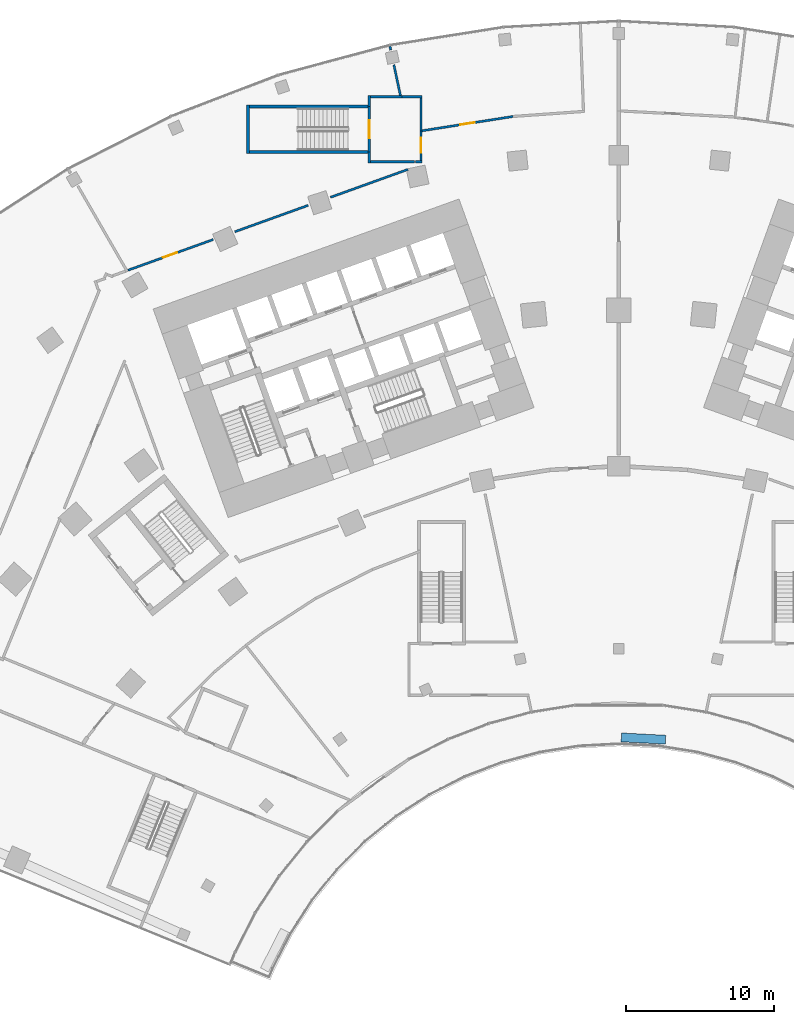
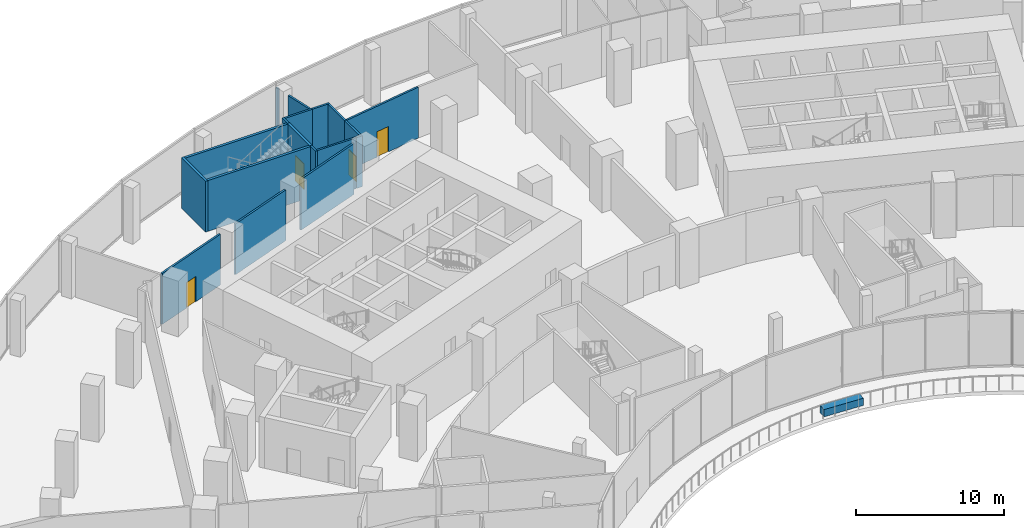
# One storey, part 25 of 39: 19 walls, 4 doors, 4 openings.
"""IFC4 building model written with IfcOpenShell, lengths in metres."""

from ifc_helpers import new_model, si_unit, direction, frame, frame_2d, origin, origin_2d, place, context, subcontext, project, spatial, rectangle, extrude, material, layer, layer_set, type_object, element, fill, save


model = new_model("IFC4")

# Units and contexts
model_context = context("Model", 3, precision=1e-05, world=origin(), true_north=direction((0.0, 1.0)))
body_context = subcontext(model_context, "Body", "Model", "MODEL_VIEW")
ifc_project = project(units=[si_unit("LENGTHUNIT", "METRE"), si_unit("AREAUNIT", "SQUARE_METRE"), si_unit("VOLUMEUNIT", "CUBIC_METRE"), si_unit("PLANEANGLEUNIT", "RADIAN"), si_unit("MASSUNIT", "GRAM", prefix="KILO")], contexts=[model_context])

# Site, building, storey
site_placement = place(None, origin())
site = spatial("IfcSite", under=ifc_project, at=site_placement, CompositionType="ELEMENT")
building_placement = place(site_placement, origin())
building = spatial("IfcBuilding", under=site, at=building_placement, Name="Stone Belt Terrace Tower", CompositionType="ELEMENT")
storey_placement = place(building_placement, frame((0.0, 0.0, 20.800048828125)))
storey = spatial("IfcBuildingStorey", under=building, at=storey_placement, Name="L04", CompositionType="ELEMENT", Elevation=20.800048828125)

# Wall
ifc_material_1 = material(Name="Precast concrete C40/50", Category="concrete")
ifc_layer_1 = layer(ifc_material_1, 0.60009765625)
ifc_layer_set_1 = layer_set([ifc_layer_1], Name="Planter box 600 x 600")
wall_type_1 = type_object("IfcWallType", Name="Planter box 600 x 600", PredefinedType="SOLIDWALL", material=ifc_layer_set_1)
wall_1_placement = place(storey_placement, frame((1.6708984375, 26.01318359375, 0.0), z_axis=(0.0, 0.0, 1.0), x_axis=(0.998629534755, -0.052335956243, 0.0)))
element("IfcWall", 1, at=wall_1_placement, inside=storey, type_object=wall_type_1, Name="PLANTER L04 2", PredefinedType="SOLIDWALL", context=body_context, shape_type="SweptSolid", body=[
    extrude(rectangle(XDim=3.0, YDim=0.60009765625, at=origin_2d()), origin(), (0.0, 0.0, 1.0), 0.60009765625),
])

# Wall, opening, door
ifc_material_2 = material(Name="Gypsum board on steel stud partition", Category="steel")
ifc_layer_2 = layer(ifc_material_2, 0.14990234375)
ifc_layer_set_2 = layer_set([ifc_layer_2], Name="Podium partition 150")
wall_type_2 = type_object("IfcWallType", Name="Podium partition 150", PredefinedType="PARTITIONING", material=ifc_layer_set_2)
wall_2_placement = place(storey_placement, frame((-33.2177734375, 57.713134765625, 0.0), z_axis=(0.0, 0.0, 1.0), x_axis=(0.940850879997, 0.338820928529, 0.0)))
wall_2 = element("IfcWall", 2, at=wall_2_placement, inside=storey, type_object=wall_type_2, Name="Podium partition 150", PredefinedType="PARTITIONING", context=body_context, shape_type="SweptSolid", body=[
    extrude(rectangle(XDim=6.134765625, YDim=0.14990234375, at=frame_2d((3.0673828125, 0.0))), origin(), (0.0, 0.0, 1.0), 4.199951171875),
])
opening_1_placement = place(wall_2_placement, frame((2.518310546875, 0.0, 0.0)))
opening_1 = element("IfcOpeningElement", 3, at=opening_1_placement, cuts=wall_2, Name="Opening L04-P26", PredefinedType="OPENING", context=body_context, shape_type="SweptSolid", body=[
    extrude(rectangle(XDim=1.0, YDim=2.10009765625, at=frame_2d((0.5, 1.050048828125))), frame((0.0, 0.0849609375, 0.0), z_axis=(0.0, -1.0, 0.0), x_axis=(1.0, 0.0, 0.0)), (0.0, 0.0, 1.0), 0.169921875),
])
ifc_material_3 = material(Name="Steel framed door leaf", Category="steel")
door_type_1 = type_object("IfcDoorType", Name="Podium door single 1000", OperationType="SINGLE_SWING_LEFT", PredefinedType="DOOR", material=ifc_material_3)
door_1_placement = place(opening_1_placement, origin())
door_1 = element("IfcDoor", 4, at=door_1_placement, inside=storey, type_object=door_type_1, Name="Podium door single 1000", OperationType="SINGLE_SWING_RIGHT", OverallHeight=2.10009765625, OverallWidth=1.0, PredefinedType="DOOR", context=body_context, shape_type="SweptSolid", body=[
    extrude(rectangle(XDim=1.0, YDim=2.10009765625, at=frame_2d((0.5, 1.050048828125))), frame((0.0, 0.02490234375, 0.0), z_axis=(0.0, -1.0, 0.0), x_axis=(1.0, 0.0, 0.0)), (0.0, 0.0, 1.0), 0.050048828125),
])
fill(opening_1, door_1)

# Walls
wall_3_placement = place(storey_placement, frame((-25.99072265625, 60.315673828125, 0.0), z_axis=(0.0, 0.0, 1.0), x_axis=(0.940850832577, 0.338821060207, 0.0)))
element("IfcWall", 5, at=wall_3_placement, inside=storey, type_object=wall_type_2, Name="Podium partition 150", PredefinedType="PARTITIONING", context=body_context, shape_type="SweptSolid", body=[
    extrude(rectangle(XDim=5.27587890625, YDim=0.14990234375, at=frame_2d((2.637939453125, 0.0))), origin(), (0.0, 0.0, 1.0), 4.199951171875),
])
wall_4_placement = place(storey_placement, frame((-19.513916015625, 62.64794921875, 0.0), z_axis=(0.0, 0.0, 1.0), x_axis=(0.940852790989, 0.338815621967, 0.0)))
element("IfcWall", 6, at=wall_4_placement, inside=storey, type_object=wall_type_2, Name="Podium partition 150", PredefinedType="PARTITIONING", context=body_context, shape_type="SweptSolid", body=[
    extrude(rectangle(XDim=5.57421875, YDim=0.14990234375, at=frame_2d((2.787109375, 0.0))), origin(), (0.0, 0.0, 1.0), 4.199951171875),
])
wall_5_placement = place(storey_placement, frame((-16.889892578125, 64.97509765625, 0.0), z_axis=(0.0, 0.0, 1.0), x_axis=(0.0, 1.0, 0.0)))
element("IfcWall", 7, at=wall_5_placement, inside=storey, type_object=wall_type_2, Name="Podium partition 150", PredefinedType="PARTITIONING", context=body_context, shape_type="SweptSolid", body=[
    extrude(rectangle(XDim=0.744873046875, YDim=0.14990234375, at=frame_2d((0.37255859375, 0.0))), origin(), (0.0, 0.0, 1.0), 4.199951171875),
])
wall_6_placement = place(storey_placement, frame((-16.81494140625, 65.050048828125, 0.0), z_axis=(0.0, 0.0, 1.0), x_axis=(1.0, 0.0, 0.0)))
element("IfcWall", 8, at=wall_6_placement, inside=storey, type_object=wall_type_2, Name="Podium partition 150", PredefinedType="PARTITIONING", context=body_context, shape_type="SweptSolid", body=[
    extrude(rectangle(XDim=2.994873046875, YDim=0.14990234375, at=frame_2d((1.49755859375, 0.0))), origin(), (0.0, 0.0, 1.0), 4.199951171875),
])
wall_7_placement = place(storey_placement, frame((-16.889892578125, 68.780029296875, 0.0), z_axis=(0.0, 0.0, 1.0), x_axis=(0.0, 1.0, 0.0)))
element("IfcWall", 9, at=wall_7_placement, inside=storey, type_object=wall_type_2, Name="Podium partition 150", PredefinedType="PARTITIONING", context=body_context, shape_type="SweptSolid", body=[
    extrude(rectangle(XDim=0.744873046875, YDim=0.14990234375, at=frame_2d((0.37255859375, 0.0))), origin(), (0.0, 0.0, 1.0), 4.199951171875),
])
wall_8_placement = place(storey_placement, frame((-16.81494140625, 69.449951171875, 0.0), z_axis=(0.0, 0.0, 1.0), x_axis=(1.0, 0.0, 0.0)))
element("IfcWall", 10, at=wall_8_placement, inside=storey, type_object=wall_type_2, Name="Podium partition 150", PredefinedType="PARTITIONING", context=body_context, shape_type="SweptSolid", body=[
    extrude(rectangle(XDim=2.131591796875, YDim=0.14990234375, at=frame_2d((1.06591796875, 0.0))), origin(), (0.0, 0.0, 1.0), 4.199951171875),
])
wall_9_placement = place(storey_placement, frame((-15.489990234375, 72.8701171875, 0.0), z_axis=(0.0, 0.0, 1.0), x_axis=(0.208183997214, -0.978089680604, 0.0)))
element("IfcWall", 11, at=wall_9_placement, inside=storey, type_object=wall_type_2, Name="Podium partition 150", PredefinedType="PARTITIONING", context=body_context, shape_type="SweptSolid", body=[
    extrude(rectangle(XDim=0.26025390625, YDim=0.14990234375, at=frame_2d((0.130126953125, 0.0))), origin(), (0.0, 0.0, 1.0), 4.199951171875),
])
wall_10_placement = place(storey_placement, frame((-15.222900390625, 71.617919921875, 0.0), z_axis=(0.0, 0.0, 1.0), x_axis=(0.208830476195, -0.977951855774, 0.0)))
element("IfcWall", 12, at=wall_10_placement, inside=storey, type_object=wall_type_2, Name="Podium partition 150", PredefinedType="PARTITIONING", context=body_context, shape_type="SweptSolid", body=[
    extrude(rectangle(XDim=2.124267578125, YDim=0.14990234375, at=frame_2d((1.06201171875, 0.0))), origin(), (0.0, 0.0, 1.0), 4.199951171875),
])
wall_11_placement = place(storey_placement, frame((-14.681884765625, 69.449951171875, 0.0), z_axis=(0.0, 0.0, 1.0), x_axis=(1.0, 0.0, 0.0)))
element("IfcWall", 13, at=wall_11_placement, inside=storey, type_object=wall_type_2, Name="Podium partition 150", PredefinedType="PARTITIONING", context=body_context, shape_type="SweptSolid", body=[
    extrude(rectangle(XDim=1.366943359375, YDim=0.14990234375, at=frame_2d((0.68359375, 0.0))), origin(), (0.0, 0.0, 1.0), 4.199951171875),
])
wall_12_placement = place(storey_placement, frame((-13.75341796875, 65.050048828125, 0.0), z_axis=(0.0, 0.0, 1.0), x_axis=(1.0, 0.0, 0.0)))
element("IfcWall", 14, at=wall_12_placement, inside=storey, type_object=wall_type_2, Name="Podium partition 150", PredefinedType="PARTITIONING", context=body_context, shape_type="SweptSolid", body=[
    extrude(rectangle(XDim=0.4384765625, YDim=0.14990234375, at=frame_2d((0.21923828125, 0.0))), origin(), (0.0, 0.0, 1.0), 4.199951171875),
])

# Wall, opening, door
wall_13_placement = place(storey_placement, frame((-13.389892578125, 65.125, 0.0), z_axis=(0.0, 0.0, 1.0), x_axis=(0.0, 1.0, 0.0)))
wall_13 = element("IfcWall", 15, at=wall_13_placement, inside=storey, type_object=wall_type_2, Name="Podium partition 150", PredefinedType="PARTITIONING", context=body_context, shape_type="SweptSolid", body=[
    extrude(rectangle(XDim=2.0048828125, YDim=0.14990234375, at=frame_2d((1.00244140625, 0.0))), origin(), (0.0, 0.0, 1.0), 4.199951171875),
])
opening_2_placement = place(wall_13_placement, frame((0.54541015625, 0.0, 0.0)))
opening_2 = element("IfcOpeningElement", 16, at=opening_2_placement, cuts=wall_13, Name="Opening L04-P37", PredefinedType="OPENING", context=body_context, shape_type="SweptSolid", body=[
    extrude(rectangle(XDim=1.0, YDim=2.10009765625, at=frame_2d((0.5, 1.050048828125))), frame((0.0, 0.0849609375, 0.0), z_axis=(0.0, -1.0, 0.0), x_axis=(1.0, 0.0, 0.0)), (0.0, 0.0, 1.0), 0.169921875),
])
door_2_placement = place(opening_2_placement, origin())
door_2 = element("IfcDoor", 17, at=door_2_placement, inside=storey, type_object=door_type_1, Name="Podium door single 1000", OperationType="SINGLE_SWING_LEFT", OverallHeight=2.10009765625, OverallWidth=1.0, PredefinedType="DOOR", context=body_context, shape_type="SweptSolid", body=[
    extrude(rectangle(XDim=1.0, YDim=2.10009765625, at=frame_2d((0.5, 1.050048828125))), frame((0.0, 0.02490234375, 0.0), z_axis=(0.0, -1.0, 0.0), x_axis=(1.0, 0.0, 0.0)), (0.0, 0.0, 1.0), 0.050048828125),
])
fill(opening_2, door_2)

# Wall
wall_14_placement = place(storey_placement, frame((-13.389892578125, 67.1298828125, 0.0), z_axis=(0.0, 0.0, 1.0), x_axis=(0.0, 1.0, 0.0)))
element("IfcWall", 18, at=wall_14_placement, inside=storey, type_object=wall_type_2, Name="Podium partition 150", PredefinedType="PARTITIONING", context=body_context, shape_type="SweptSolid", body=[
    extrude(rectangle(XDim=2.2451171875, YDim=0.14990234375, at=frame_2d((1.12255859375, 0.0))), origin(), (0.0, 0.0, 1.0), 4.199951171875),
])

# Wall, opening, door
wall_15_placement = place(storey_placement, frame((-13.31494140625, 67.15185546875, 0.0), z_axis=(0.0, 0.0, 1.0), x_axis=(0.987857191339, 0.155364634069, 0.0)))
wall_15 = element("IfcWall", 19, at=wall_15_placement, inside=storey, type_object=wall_type_2, Name="Podium partition 150", PredefinedType="PARTITIONING", context=body_context, shape_type="SweptSolid", body=[
    extrude(rectangle(XDim=6.2275390625, YDim=0.14990234375, at=frame_2d((3.11376953125, 0.0))), origin(), (0.0, 0.0, 1.0), 4.199951171875),
])
opening_3_placement = place(wall_15_placement, frame((2.61376953125, 0.0, 0.0)))
opening_3 = element("IfcOpeningElement", 20, at=opening_3_placement, cuts=wall_15, Name="Opening L04-P11", PredefinedType="OPENING", context=body_context, shape_type="SweptSolid", body=[
    extrude(rectangle(XDim=1.0, YDim=2.10009765625, at=frame_2d((0.5, 1.050048828125))), frame((0.0, 0.0849609375, 0.0), z_axis=(0.0, -1.0, 0.0), x_axis=(1.0, 0.0, 0.0)), (0.0, 0.0, 1.0), 0.169921875),
])
door_3_placement = place(opening_3_placement, origin())
door_3 = element("IfcDoor", 21, at=door_3_placement, inside=storey, type_object=door_type_1, Name="Podium door single 1000", OperationType="SINGLE_SWING_LEFT", OverallHeight=2.10009765625, OverallWidth=1.0, PredefinedType="DOOR", context=body_context, shape_type="SweptSolid", body=[
    extrude(rectangle(XDim=1.0, YDim=2.10009765625, at=frame_2d((0.5, 1.050048828125))), frame((0.0, 0.02490234375, 0.0), z_axis=(0.0, -1.0, 0.0), x_axis=(1.0, 0.0, 0.0)), (0.0, 0.0, 1.0), 0.050048828125),
])
fill(opening_3, door_3)

# Walls
ifc_material_4 = material(Name="Concrete B30", Category="concrete")
ifc_layer_3 = layer(ifc_material_4, 0.199951171875)
ifc_layer_set_3 = layer_set([ifc_layer_3], Name="Podium stair and shaft wall 200")
wall_type_3 = type_object("IfcWallType", Name="Podium stair and shaft wall 200", PredefinedType="SOLIDWALL", material=ifc_layer_set_3)
wall_16_placement = place(storey_placement, frame((-25.110107421875, 65.6201171875, 0.0), z_axis=(0.0, 0.0, 1.0), x_axis=(0.0, 1.0, 0.0)))
element("IfcWall", 22, at=wall_16_placement, inside=storey, type_object=wall_type_3, Name="Podium stair and shaft wall 200", PredefinedType="SOLIDWALL", context=body_context, shape_type="SweptSolid", body=[
    extrude(rectangle(XDim=3.259765625, YDim=0.199951171875, at=frame_2d((1.6298828125, 0.0))), origin(), (0.0, 0.0, 1.0), 4.199951171875),
])
for number, where, z_axis, x_axis, name in (
    (23, (-25.010009765625, 65.719970703125, 0.0), (0.0, 0.0, 1.0), (1.0, 0.0, 0.0), "Podium stair and shaft wall 200"),
    (24, (-25.010009765625, 68.780029296875, 0.0), (0.0, 0.0, 1.0), (1.0, 0.0, 0.0), "Podium stair and shaft wall 200"),
):
    element("IfcWall", number, at=place(storey_placement, frame(where, z_axis=z_axis, x_axis=x_axis)), inside=storey, type_object=wall_type_3, Name=name, PredefinedType="SOLIDWALL", context=body_context, shape_type="SweptSolid", body=[
        extrude(rectangle(XDim=8.02001953125, YDim=0.199951171875, at=frame_2d((4.010009765625, 0.0))), origin(), (0.0, 0.0, 1.0), 4.199951171875),
    ])

# Wall, opening, door
wall_17_placement = place(storey_placement, frame((-16.889892578125, 65.719970703125, 0.0), z_axis=(0.0, 0.0, 1.0), x_axis=(0.0, 1.0, 0.0)))
wall_17 = element("IfcWall", 25, at=wall_17_placement, inside=storey, type_object=wall_type_3, Name="Podium stair and shaft wall 200", PredefinedType="SOLIDWALL", context=body_context, shape_type="SweptSolid", body=[
    extrude(rectangle(XDim=3.06005859375, YDim=0.199951171875, at=frame_2d((1.530029296875, 0.0))), origin(), (0.0, 0.0, 1.0), 4.199951171875),
])
opening_4_placement = place(wall_17_placement, frame((0.929931640625, 0.0, 0.0)))
opening_4 = element("IfcOpeningElement", 26, at=opening_4_placement, cuts=wall_17, Name="Opening L04-P07", PredefinedType="OPENING", context=body_context, shape_type="SweptSolid", body=[
    extrude(rectangle(XDim=1.199951171875, YDim=2.10009765625, at=frame_2d((0.60009765625, 1.050048828125))), frame((0.0, 0.10986328125, 0.0), z_axis=(0.0, -1.0, 0.0), x_axis=(1.0, 0.0, 0.0)), (0.0, 0.0, 1.0), 0.219970703125),
])
door_type_2 = type_object("IfcDoorType", Name="Podium door fire stair 1200", OperationType="SINGLE_SWING_LEFT", PredefinedType="DOOR", material=ifc_material_3)
door_4_placement = place(opening_4_placement, origin())
door_4 = element("IfcDoor", 27, at=door_4_placement, inside=storey, type_object=door_type_2, Name="Podium door fire stair 1200", OperationType="SINGLE_SWING_LEFT", OverallHeight=2.10009765625, OverallWidth=1.199951171875, PredefinedType="DOOR", context=body_context, shape_type="SweptSolid", body=[
    extrude(rectangle(XDim=1.199951171875, YDim=2.10009765625, at=frame_2d((0.60009765625, 1.050048828125))), frame((0.0, 0.02490234375, 0.0), z_axis=(0.0, -1.0, 0.0), x_axis=(1.0, 0.0, 0.0)), (0.0, 0.0, 1.0), 0.050048828125),
])
fill(opening_4, door_4)

save(model, "model.ifc")
